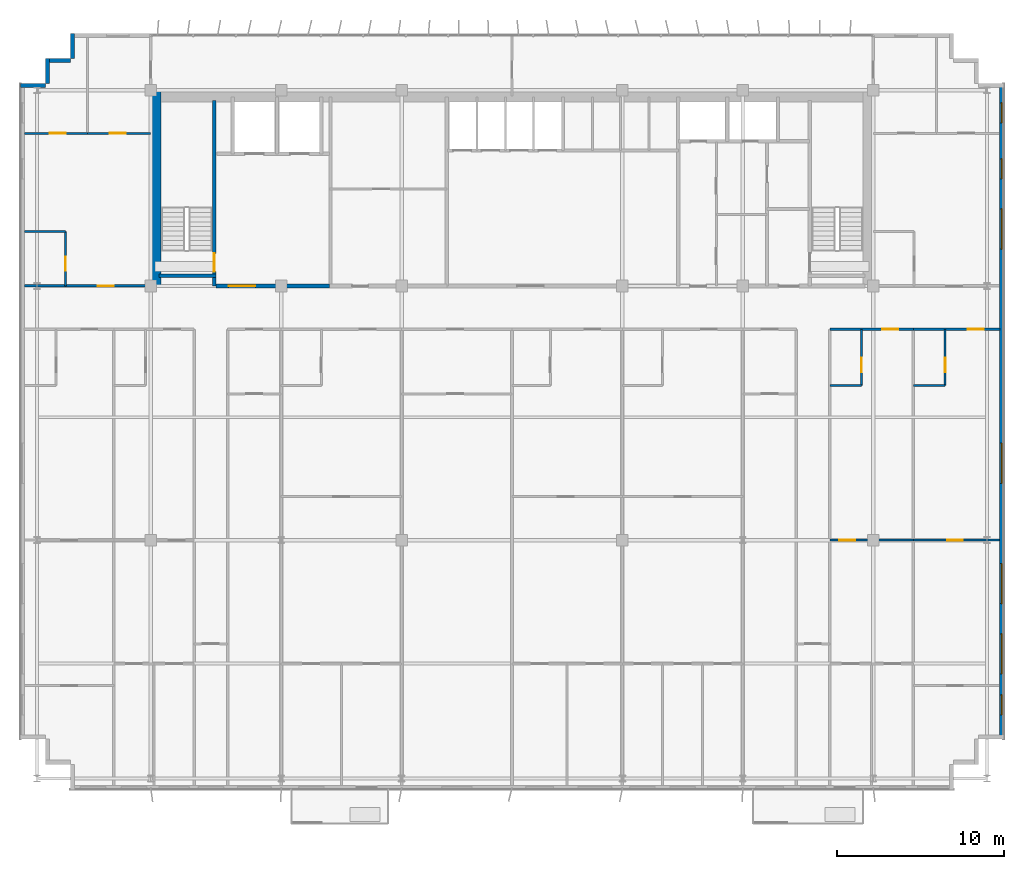
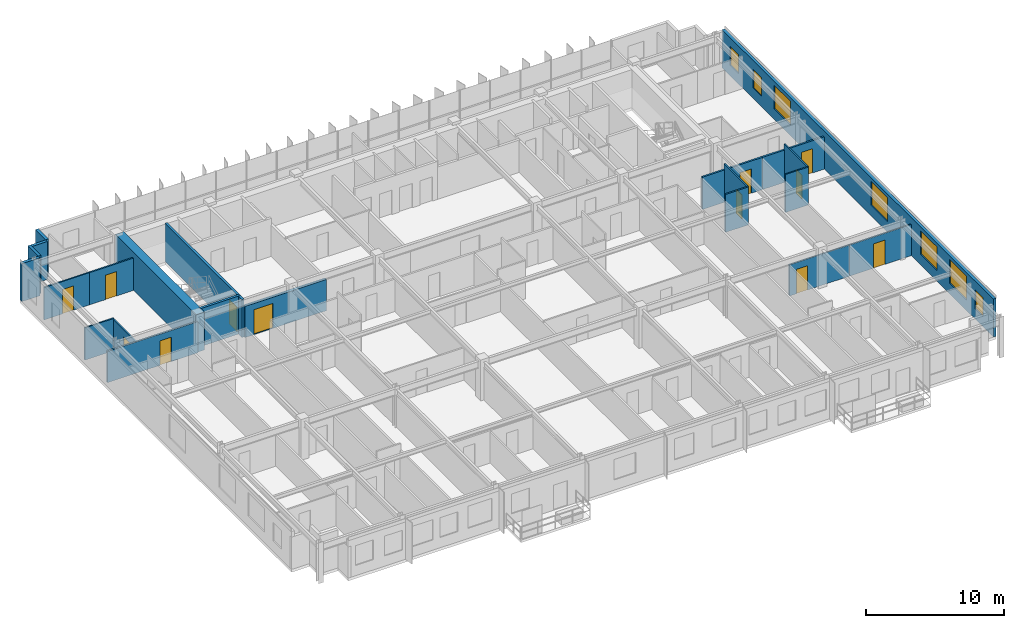
# One storey, part 17 of 21: 22 walls, 12 doors, 7 windows, 19 openings.
"""IFC4 building model written with IfcOpenShell, lengths in metres."""

import ifcopenshell
import ifcopenshell.guid

model = None  # the IFC model being written
_history = None  # IfcOwnerHistory: only IFC2X3 demands one
_inside = {}  # id of a spatial element -> (the spatial element, [elements in it])
_under = {}  # id of a project, library or spatial element -> (it, [spatial elements below it])
_declared = {}  # id of a project -> (the project, [libraries it declares])
_typed = {}  # id of a type object -> (the type object, [elements of that type])
_made_of = {}  # id of a material, layer set ... -> (it, [elements and type objects made of it])


def new_model(schema):
    """Start an empty IFC model of exactly this schema.

    Asked for "IFC4X3", IfcOpenShell would pick the latest addendum, in which some entities
    have other attributes; the version numbers below select the first issue.
    IFC2X3 requires an IfcOwnerHistory on every rooted entity: one is made here for all.
    """
    global model, _history
    if schema == "IFC4X3":
        model = ifcopenshell.file(schema_version=(4, 3, 0, 0))
    else:
        model = ifcopenshell.file(schema=schema)
    _inside.clear()
    _under.clear()
    _declared.clear()
    _typed.clear()
    _made_of.clear()
    _history = None
    if model.schema == "IFC2X3":
        org = make("IfcOrganization", Name="unknown")
        user = make(
            "IfcPersonAndOrganization",
            ThePerson=make("IfcPerson", FamilyName="unknown"),
            TheOrganization=org,
        )
        app = make(
            "IfcApplication",
            ApplicationDeveloper=org,
            Version="unknown",
            ApplicationFullName="unknown",
            ApplicationIdentifier="unknown",
        )
        _history = make(
            "IfcOwnerHistory",
            OwningUser=user,
            OwningApplication=app,
            ChangeAction="ADDED",
            CreationDate=0,
        )
    return model


def make(cls, **values):
    """One entity of the class cls with the attributes given. An attribute that is None is left unset."""
    return model.create_entity(
        cls, **{name: value for name, value in values.items() if value is not None}
    )


def rooted(cls, **values):
    """An entity with a GlobalId (a new one), such as an element, a storey or a relation."""
    return make(cls, GlobalId=ifcopenshell.guid.new(), OwnerHistory=_history, **values)


def si_unit(unit_type, name, prefix=None):
    """IfcSIUnit, for example si_unit("LENGTHUNIT", "METRE", prefix="MILLI")."""
    return make("IfcSIUnit", UnitType=unit_type, Prefix=prefix, Name=name)


def assignment(units):
    """IfcUnitAssignment: the units of a project."""
    return None if units is None else make("IfcUnitAssignment", Units=units)


def point(xyz):
    """IfcCartesianPoint."""
    return None if xyz is None else make("IfcCartesianPoint", Coordinates=xyz)


def direction(xyz):
    """IfcDirection."""
    return None if xyz is None else make("IfcDirection", DirectionRatios=xyz)


def frame(location, z_axis=None, x_axis=None):
    """IfcAxis2Placement3D, a coordinate frame: its origin and axes. An axis left out is left unset."""
    return make(
        "IfcAxis2Placement3D",
        Location=point(location),
        Axis=direction(z_axis),
        RefDirection=direction(x_axis),
    )


def frame_2d(location, x_axis=None):
    """IfcAxis2Placement2D, a coordinate frame in the plane: its origin and x axis."""
    return make(
        "IfcAxis2Placement2D", Location=point(location), RefDirection=direction(x_axis)
    )


def origin():
    """The frame at (0, 0, 0) with its axes left unset."""
    return frame((0.0, 0.0, 0.0))


def place(relative_to, where):
    """IfcLocalPlacement: puts the frame where relative to a parent placement (None: the world)."""
    return make(
        "IfcLocalPlacement", PlacementRelTo=relative_to, RelativePlacement=where
    )


def context(
    kind, dimensions, precision=None, world=None, true_north=None, identifier=None
):
    """IfcGeometricRepresentationContext, for example the 3D "Model" context."""
    return make(
        "IfcGeometricRepresentationContext",
        ContextIdentifier=identifier,
        ContextType=kind,
        CoordinateSpaceDimension=dimensions,
        Precision=precision,
        WorldCoordinateSystem=world,
        TrueNorth=true_north,
    )


def subcontext(parent, identifier, kind, view, scale=None):
    """IfcGeometricRepresentationSubContext, for example "Body" below "Model"."""
    return make(
        "IfcGeometricRepresentationSubContext",
        ContextIdentifier=identifier,
        ContextType=kind,
        ParentContext=parent,
        TargetScale=scale,
        TargetView=view,
    )


def project(units=None, contexts=None):
    """IfcProject with its units and contexts."""
    return rooted(
        "IfcProject",
        Name="project",
        RepresentationContexts=contexts,
        UnitsInContext=assignment(units),
    )


def spatial(cls, under=None, at=None, **own):
    """A site, building, storey or space (cls), placed at a placement, below another one or the project."""
    s = rooted(cls, ObjectPlacement=at, **own)
    if under is not None:
        _under.setdefault(under.id(), (under, []))[1].append(s)
    return s


def profile(cls, at=None, kind="AREA", **sizes):
    """A parametric profile (cls). Its sizes go by their IFC names, for example OverallWidth=200.0."""
    return make(cls, ProfileType=kind, Position=at, **sizes)


def rectangle(**sizes):
    """IfcRectangleProfileDef."""
    return profile("IfcRectangleProfileDef", **sizes)


def extrude(swept, where, along, depth):
    """IfcExtrudedAreaSolid: the profile swept, set in the frame where, extruded along a direction by depth."""
    return make(
        "IfcExtrudedAreaSolid",
        SweptArea=swept,
        Position=where,
        ExtrudedDirection=direction(along),
        Depth=depth,
    )


def shape(context_of_items, identifier, shape_type, items):
    """IfcShapeRepresentation: the items that make up one representation, for example the "Body"."""
    return make(
        "IfcShapeRepresentation",
        ContextOfItems=context_of_items,
        RepresentationIdentifier=identifier,
        RepresentationType=shape_type,
        Items=items,
    )


def source(mapping_origin, context_of_items, identifier, shape_type, items):
    """IfcRepresentationMap: a shape defined once, which mapped items show again and again."""
    return make(
        "IfcRepresentationMap",
        MappingOrigin=mapping_origin,
        MappedRepresentation=shape(context_of_items, identifier, shape_type, items),
    )


def transform(
    local_origin,
    x_axis=None,
    y_axis=None,
    z_axis=None,
    scale=None,
    scale2=None,
    scale3=None,
    uniform=True,
):
    """IfcCartesianTransformationOperator3D, or its non-uniform kind. x_axis, y_axis, z_axis: its Axis1, 2, 3."""
    if uniform:
        return make(
            "IfcCartesianTransformationOperator3D",
            Axis1=direction(x_axis),
            Axis2=direction(y_axis),
            LocalOrigin=point(local_origin),
            Scale=scale,
            Axis3=direction(z_axis),
        )
    return make(
        "IfcCartesianTransformationOperator3DnonUniform",
        Axis1=direction(x_axis),
        Axis2=direction(y_axis),
        LocalOrigin=point(local_origin),
        Scale=scale,
        Axis3=direction(z_axis),
        Scale2=scale2,
        Scale3=scale3,
    )


def mapped(mapping_source, mapping_target):
    """IfcMappedItem: shows the shape of a source again, moved by a transform."""
    return make(
        "IfcMappedItem", MappingSource=mapping_source, MappingTarget=mapping_target
    )


def material(Name=None, Category=None):
    """IfcMaterial."""
    return make("IfcMaterial", Name=Name, Category=Category)


def layer(
    of_material, thickness, ventilated=None, Name=None, Category=None, Priority=None
):
    """IfcMaterialLayer: one layer of a wall or slab, of a material (None: an air gap)."""
    return make(
        "IfcMaterialLayer",
        Material=of_material,
        LayerThickness=thickness,
        IsVentilated=ventilated,
        Name=Name,
        Category=Category,
        Priority=Priority,
    )


def layer_set(layers, Name=None):
    """IfcMaterialLayerSet."""
    return make("IfcMaterialLayerSet", MaterialLayers=layers, LayerSetName=Name)


def made_of(thing, what):
    """Note that an element or type object is made of a material, layer set ...; save() writes the relation."""
    if what is not None:
        _made_of.setdefault(what.id(), (what, []))[1].append(thing)
    return thing


def type_object(cls, material=None, **own):
    """A type object (cls), such as IfcWallType, which elements share."""
    return made_of(rooted(cls, **own), material)


def element(
    cls,
    number,
    at=None,
    inside=None,
    cuts=None,
    type_object=None,
    material=None,
    context=None,
    identifier="Body",
    shape_type=None,
    held_by="IfcProductDefinitionShape",
    body=None,
    shapes=None,
    **own,
):
    """One element of the class cls, such as IfcWall. Its Tag is "e" and its number.

    at: its placement. inside: the storey or other place that contains it. cuts: it is an
    opening in that element (IfcRelVoidsElement). A single representation is given by context,
    identifier, shape_type and body (its items); several are given by shapes. held_by: the class
    of the entity that holds the representations. save() writes the other relations.
    """
    e = rooted(cls, Tag="e%d" % number, ObjectPlacement=at, **own)
    if body is not None:
        shapes = [shape(context, identifier, shape_type, body)]
    if shapes is not None:
        e.Representation = make(held_by, Representations=shapes)
    if inside is not None:
        _inside.setdefault(inside.id(), (inside, []))[1].append(e)
    if cuts is not None:
        rooted(
            "IfcRelVoidsElement", RelatingBuildingElement=cuts, RelatedOpeningElement=e
        )
    if type_object is not None:
        _typed.setdefault(type_object.id(), (type_object, []))[1].append(e)
    return made_of(e, material)


def fill(opening, filler):
    """IfcRelFillsElement: the door or window that sits in an opening."""
    return rooted(
        "IfcRelFillsElement",
        RelatingOpeningElement=opening,
        RelatedBuildingElement=filler,
    )


def aggregate(whole, parts):
    """IfcRelAggregates: a whole, such as a stair, and the parts it consists of."""
    return rooted("IfcRelAggregates", RelatingObject=whole, RelatedObjects=parts)


def save(model, path):
    """Write the relations noted so far, then the file.

    IfcRelAggregates (storeys below a building ...), IfcRelContainedInSpatialStructure (elements
    in a storey), IfcRelDefinesByType, IfcRelAssociatesMaterial and IfcRelDeclares: one each for
    every whole, place, type object, material and project.
    """
    for whole, parts in _under.values():
        aggregate(whole, parts)
    for where, things in _inside.values():
        rooted(
            "IfcRelContainedInSpatialStructure",
            RelatedElements=things,
            RelatingStructure=where,
        )
    for kind, things in _typed.values():
        rooted("IfcRelDefinesByType", RelatedObjects=things, RelatingType=kind)
    for what, things in _made_of.values():
        rooted("IfcRelAssociatesMaterial", RelatedObjects=things, RelatingMaterial=what)
    for by, libraries in _declared.values():
        rooted("IfcRelDeclares", RelatingContext=by, RelatedDefinitions=libraries)
    model.write(path)


model = new_model("IFC4")

# Units and contexts
model_context = context("Model", 3, precision=1e-05, world=origin(), true_north=direction((0.0, 1.0)))
body_context = subcontext(model_context, "Body", "Model", "MODEL_VIEW")
ifc_project = project(units=[si_unit("LENGTHUNIT", "METRE"), si_unit("AREAUNIT", "SQUARE_METRE"), si_unit("VOLUMEUNIT", "CUBIC_METRE"), si_unit("PLANEANGLEUNIT", "RADIAN"), si_unit("MASSUNIT", "GRAM", prefix="KILO")], contexts=[model_context])

# Site, building, storey
site_placement = place(None, origin())
site = spatial("IfcSite", under=ifc_project, at=site_placement, CompositionType="ELEMENT")
building_placement = place(site_placement, origin())
building = spatial("IfcBuilding", under=site, at=building_placement, Name="Trelvane Seafront Commons", CompositionType="ELEMENT")
storey_placement = place(building_placement, frame((0.0, 0.0, 135.699951171875)))
storey = spatial("IfcBuildingStorey", under=building, at=storey_placement, Name="L35", CompositionType="ELEMENT", Elevation=135.699951171875)

# Walls
ifc_material_1 = material(Name="Precast concrete C40/50", Category="concrete")
ifc_layer_1 = layer(ifc_material_1, 0.239990234375, Name="ARCH-WALL-EXT240")
ifc_layer_set_1 = layer_set([ifc_layer_1], Name="Precast concrete C40/50")
wall_type_1 = type_object("IfcWallType", Name="ARCH-WALL-EXT240", PredefinedType="SOLIDWALL", material=ifc_layer_set_1)
for number, where, z_axis, x_axis, name in (
    (1, (7.800048828125, 45.3798828125, 0.0), (0.0, 0.0, 1.0), (1.0, 0.0, 0.0), "EW-L35-00680"),
    (2, (9.419921875, 45.5, 0.0), (0.0, 0.0, 1.0), (0.0, 1.0, 0.0), "EW-L35-00681"),
    (3, (9.300048828125, 46.8798828125, 0.0), (0.0, 0.0, 1.0), (1.0, 0.0, 0.0), "EW-L35-00682"),
    (4, (10.919921875, 47.0, 0.0), (0.0, 0.0, 1.0), (0.0, 1.0, 0.0), "EW-L35-00683"),
):
    element("IfcWall", number, at=place(storey_placement, frame(where, z_axis=z_axis, x_axis=x_axis)), inside=storey, type_object=wall_type_1, Name=name, PredefinedType="SOLIDWALL", context=body_context, shape_type="SweptSolid", body=[
        extrude(rectangle(XDim=1.5, YDim=0.239990234375, at=frame_2d((0.75, 0.0))), origin(), (0.0, 0.0, 1.0), 3.35009765625),
    ])

# Wall, openings, windows
wall_1_placement = place(storey_placement, frame((66.47998046875, 45.5, 0.0), z_axis=(0.0, 0.0, 1.0), x_axis=(0.0, -1.0, 0.0)))
wall_1 = element("IfcWall", 5, at=wall_1_placement, inside=storey, type_object=wall_type_1, Name="EW-L35-00688", PredefinedType="SOLIDWALL", context=body_context, shape_type="SweptSolid", body=[
    extrude(rectangle(XDim=39.199951171875, YDim=0.239990234375, at=frame_2d((19.60009765625, 0.0))), origin(), (0.0, 0.0, 1.0), 3.35009765625),
])
opening_1_placement = place(wall_1_placement, frame((36.550048828125, 0.0, 0.919921875)))
opening_1 = element("IfcOpeningElement", 6, at=opening_1_placement, cuts=wall_1, Name="Opening W05", PredefinedType="OPENING", context=body_context, shape_type="SweptSolid", body=[
    extrude(rectangle(XDim=1.199951171875, YDim=1.64990234375, at=frame_2d((0.60009765625, 0.824951171875))), frame((0.0, 0.1298828125, 0.0), z_axis=(0.0, -1.0, 0.0), x_axis=(1.0, 0.0, 0.0)), (0.0, 0.0, 1.0), 0.260009765625),
])
opening_2_placement = place(wall_1_placement, frame((32.89990234375, 0.0, 0.919921875)))
opening_2 = element("IfcOpeningElement", 7, at=opening_2_placement, cuts=wall_1, Name="Opening W08", PredefinedType="OPENING", context=body_context, shape_type="SweptSolid", body=[
    extrude(rectangle(XDim=2.39990234375, YDim=2.10009765625, at=frame_2d((1.199951171875, 1.050048828125))), frame((0.0, 0.1298828125, 0.0), z_axis=(0.0, -1.0, 0.0), x_axis=(1.0, 0.0, 0.0)), (0.0, 0.0, 1.0), 0.260009765625),
])
opening_3_placement = place(wall_1_placement, frame((28.699951171875, 0.0, 0.919921875)))
opening_3 = element("IfcOpeningElement", 8, at=opening_3_placement, cuts=wall_1, Name="Opening W08", PredefinedType="OPENING", context=body_context, shape_type="SweptSolid", body=[
    extrude(rectangle(XDim=2.39990234375, YDim=2.10009765625, at=frame_2d((1.199951171875, 1.050048828125))), frame((0.0, 0.1298828125, 0.0), z_axis=(0.0, -1.0, 0.0), x_axis=(1.0, 0.0, 0.0)), (0.0, 0.0, 1.0), 0.260009765625),
])
opening_4_placement = place(wall_1_placement, frame((21.5, 0.0, 0.919921875)))
opening_4 = element("IfcOpeningElement", 9, at=opening_4_placement, cuts=wall_1, Name="Opening W08", PredefinedType="OPENING", context=body_context, shape_type="SweptSolid", body=[
    extrude(rectangle(XDim=2.39990234375, YDim=2.10009765625, at=frame_2d((1.199951171875, 1.050048828125))), frame((0.0, 0.1298828125, 0.0), z_axis=(0.0, -1.0, 0.0), x_axis=(1.0, 0.0, 0.0)), (0.0, 0.0, 1.0), 0.260009765625),
])
opening_5_placement = place(wall_1_placement, frame((7.5, 0.0, 0.919921875)))
opening_5 = element("IfcOpeningElement", 10, at=opening_5_placement, cuts=wall_1, Name="Opening W08", PredefinedType="OPENING", context=body_context, shape_type="SweptSolid", body=[
    extrude(rectangle(XDim=2.39990234375, YDim=2.10009765625, at=frame_2d((1.199951171875, 1.050048828125))), frame((0.0, 0.1298828125, 0.0), z_axis=(0.0, -1.0, 0.0), x_axis=(1.0, 0.0, 0.0)), (0.0, 0.0, 1.0), 0.260009765625),
])
opening_6_placement = place(wall_1_placement, frame((4.5, 0.0, 0.919921875)))
opening_6 = element("IfcOpeningElement", 11, at=opening_6_placement, cuts=wall_1, Name="Opening W05", PredefinedType="OPENING", context=body_context, shape_type="SweptSolid", body=[
    extrude(rectangle(XDim=1.199951171875, YDim=1.64990234375, at=frame_2d((0.60009765625, 0.824951171875))), frame((0.0, 0.1298828125, 0.0), z_axis=(0.0, -1.0, 0.0), x_axis=(1.0, 0.0, 0.0)), (0.0, 0.0, 1.0), 0.260009765625),
])
opening_7_placement = place(wall_1_placement, frame((1.14990234375, 0.0, 0.919921875)))
opening_7 = element("IfcOpeningElement", 12, at=opening_7_placement, cuts=wall_1, Name="Opening W05", PredefinedType="OPENING", context=body_context, shape_type="SweptSolid", body=[
    extrude(rectangle(XDim=1.199951171875, YDim=1.64990234375, at=frame_2d((0.60009765625, 0.824951171875))), frame((0.0, 0.1298828125, 0.0), z_axis=(0.0, -1.0, 0.0), x_axis=(1.0, 0.0, 0.0)), (0.0, 0.0, 1.0), 0.260009765625),
])
ifc_material_2 = material(Name="Low-E coastal double glazing", Category="glass")
window_type_1 = type_object("IfcWindowType", Name="ARCH-WIN-W08", PartitioningType="SINGLE_PANEL", PredefinedType="WINDOW", material=ifc_material_2)
shared_shape_1 = source(origin(), body_context, "Body", "SweptSolid", [
    extrude(rectangle(XDim=2.39990234375, YDim=2.10009765625, at=frame_2d((1.199951171875, 1.050048828125))), frame((0.0, 0.030029296875, 0.0), z_axis=(0.0, -1.0, 0.0), x_axis=(1.0, 0.0, 0.0)), (0.0, 0.0, 1.0), 0.06005859375),
])
window_1_placement = place(opening_2_placement, origin())
window_1 = element("IfcWindow", 13, at=window_1_placement, inside=storey, type_object=window_type_1, Name="WIN-L35-EW-00797", OverallHeight=2.10009765625, OverallWidth=2.39990234375, PartitioningType="SINGLE_PANEL", PredefinedType="WINDOW", context=body_context, shape_type="MappedRepresentation", body=[
    mapped(shared_shape_1, transform((0.0, 0.0, 0.0), x_axis=(1.0, 0.0, 0.0), y_axis=(0.0, 1.0, 0.0), z_axis=(0.0, 0.0, 1.0), scale=1.0)),
])
fill(opening_2, window_1)
window_2_placement = place(opening_3_placement, origin())
window_2 = element("IfcWindow", 14, at=window_2_placement, inside=storey, type_object=window_type_1, Name="WIN-L35-EW-00798", OverallHeight=2.10009765625, OverallWidth=2.39990234375, PartitioningType="SINGLE_PANEL", PredefinedType="WINDOW", context=body_context, shape_type="MappedRepresentation", body=[
    mapped(shared_shape_1, transform((0.0, 0.0, 0.0), x_axis=(1.0, 0.0, 0.0), y_axis=(0.0, 1.0, 0.0), z_axis=(0.0, 0.0, 1.0), scale=1.0)),
])
fill(opening_3, window_2)
window_3_placement = place(opening_4_placement, origin())
window_3 = element("IfcWindow", 15, at=window_3_placement, inside=storey, type_object=window_type_1, Name="WIN-L35-EW-00799", OverallHeight=2.10009765625, OverallWidth=2.39990234375, PartitioningType="SINGLE_PANEL", PredefinedType="WINDOW", context=body_context, shape_type="MappedRepresentation", body=[
    mapped(shared_shape_1, transform((0.0, 0.0, 0.0), x_axis=(1.0, 0.0, 0.0), y_axis=(0.0, 1.0, 0.0), z_axis=(0.0, 0.0, 1.0), scale=1.0)),
])
fill(opening_4, window_3)
window_4_placement = place(opening_5_placement, origin())
window_4 = element("IfcWindow", 16, at=window_4_placement, inside=storey, type_object=window_type_1, Name="WIN-L35-EW-00800", OverallHeight=2.10009765625, OverallWidth=2.39990234375, PartitioningType="SINGLE_PANEL", PredefinedType="WINDOW", context=body_context, shape_type="MappedRepresentation", body=[
    mapped(shared_shape_1, transform((0.0, 0.0, 0.0), x_axis=(1.0, 0.0, 0.0), y_axis=(0.0, 1.0, 0.0), z_axis=(0.0, 0.0, 1.0), scale=1.0)),
])
fill(opening_5, window_4)
window_type_2 = type_object("IfcWindowType", Name="ARCH-WIN-W05", PartitioningType="SINGLE_PANEL", PredefinedType="WINDOW", material=ifc_material_2)
shared_shape_2 = source(origin(), body_context, "Body", "SweptSolid", [
    extrude(rectangle(XDim=1.199951171875, YDim=1.64990234375, at=frame_2d((0.60009765625, 0.824951171875))), frame((0.0, 0.030029296875, 0.0), z_axis=(0.0, -1.0, 0.0), x_axis=(1.0, 0.0, 0.0)), (0.0, 0.0, 1.0), 0.06005859375),
])
window_5_placement = place(opening_1_placement, origin())
window_5 = element("IfcWindow", 17, at=window_5_placement, inside=storey, type_object=window_type_2, Name="WIN-L35-EW-00796", OverallHeight=1.64990234375, OverallWidth=1.199951171875, PartitioningType="SINGLE_PANEL", PredefinedType="WINDOW", context=body_context, shape_type="MappedRepresentation", body=[
    mapped(shared_shape_2, transform((0.0, 0.0, 0.0), x_axis=(1.0, 0.0, 0.0), y_axis=(0.0, 1.0, 0.0), z_axis=(0.0, 0.0, 1.0), scale=1.0)),
])
fill(opening_1, window_5)
window_6_placement = place(opening_6_placement, origin())
window_6 = element("IfcWindow", 18, at=window_6_placement, inside=storey, type_object=window_type_2, Name="WIN-L35-EW-00801", OverallHeight=1.64990234375, OverallWidth=1.199951171875, PartitioningType="SINGLE_PANEL", PredefinedType="WINDOW", context=body_context, shape_type="MappedRepresentation", body=[
    mapped(shared_shape_2, transform((0.0, 0.0, 0.0), x_axis=(1.0, 0.0, 0.0), y_axis=(0.0, 1.0, 0.0), z_axis=(0.0, 0.0, 1.0), scale=1.0)),
])
fill(opening_6, window_6)
window_7_placement = place(opening_7_placement, origin())
window_7 = element("IfcWindow", 19, at=window_7_placement, inside=storey, type_object=window_type_2, Name="WIN-L35-EW-00802", OverallHeight=1.64990234375, OverallWidth=1.199951171875, PartitioningType="SINGLE_PANEL", PredefinedType="WINDOW", context=body_context, shape_type="MappedRepresentation", body=[
    mapped(shared_shape_2, transform((0.0, 0.0, 0.0), x_axis=(1.0, 0.0, 0.0), y_axis=(0.0, 1.0, 0.0), z_axis=(0.0, 0.0, 1.0), scale=1.0)),
])
fill(opening_7, window_7)

# Wall, opening, door
ifc_material_3 = material(Name="Concrete C40/50", Category="concrete")
ifc_layer_2 = layer(ifc_material_3, 0.25, Name="ARCH-WALL-FIRE250")
ifc_layer_set_2 = layer_set([ifc_layer_2], Name="Concrete C40/50")
wall_type_2 = type_object("IfcWallType", Name="ARCH-WALL-FIRE250", PredefinedType="PARTITIONING", material=ifc_layer_set_2)
wall_2_placement = place(storey_placement, frame((19.5, 33.39990234375, 0.0), z_axis=(0.0, 0.0, 1.0), x_axis=(1.0, 0.0, 0.0)))
wall_2 = element("IfcWall", 20, at=wall_2_placement, inside=storey, type_object=wall_type_2, Name="W-L35-CS-FFL-013", PredefinedType="PARTITIONING", context=body_context, shape_type="SweptSolid", body=[
    extrude(rectangle(XDim=6.800048828125, YDim=0.25, at=frame_2d((3.39990234375, 0.0))), origin(), (0.0, 0.0, 1.0), 2.75),
])
opening_8_placement = place(wall_2_placement, frame((0.75, 0.0, 0.0)))
opening_8 = element("IfcOpeningElement", 21, at=opening_8_placement, cuts=wall_2, Name="Opening FD-L35-05", PredefinedType="OPENING", context=body_context, shape_type="SweptSolid", body=[
    extrude(rectangle(XDim=1.60009765625, YDim=2.199951171875, at=frame_2d((0.800048828125, 1.10009765625))), frame((0.0, 0.135009765625, 0.0), z_axis=(0.0, -1.0, 0.0), x_axis=(1.0, 0.0, 0.0)), (0.0, 0.0, 1.0), 0.27001953125),
])
ifc_material_4 = material(Name="Powder-coated aluminium frame", Category="aluminium")
door_type_1 = type_object("IfcDoorType", Name="ARCH-DR-FD60-1600", OperationType="DOUBLE_DOOR_SINGLE_SWING", PredefinedType="DOOR", material=ifc_material_4)
shared_shape_3 = source(origin(), body_context, "Body", "SweptSolid", [
    extrude(rectangle(XDim=1.60009765625, YDim=2.199951171875, at=frame_2d((0.800048828125, 1.10009765625))), frame((0.0, 0.02490234375, 0.0), z_axis=(0.0, -1.0, 0.0), x_axis=(1.0, 0.0, 0.0)), (0.0, 0.0, 1.0), 0.050048828125),
])
door_1_placement = place(opening_8_placement, origin())
door_1 = element("IfcDoor", 22, at=door_1_placement, inside=storey, type_object=door_type_1, Name="L35 Firefighting Lift Lobby Double Fire Door", OperationType="DOUBLE_DOOR_SINGLE_SWING", OverallHeight=2.199951171875, OverallWidth=1.60009765625, PredefinedType="DOOR", context=body_context, shape_type="MappedRepresentation", body=[
    mapped(shared_shape_3, transform((0.0, 0.0, 0.0), x_axis=(1.0, 0.0, 0.0), y_axis=(0.0, 1.0, 0.0), z_axis=(0.0, 0.0, 1.0), scale=1.0)),
])
fill(opening_8, door_1)

ifc_material_5 = material(Name="Gypsum Drywall Acoustic Partition")
ifc_layer_3 = layer(ifc_material_5, 0.1201171875, Name="ARCH-WALL-PART120")
ifc_layer_set_3 = layer_set([ifc_layer_3], Name="Gypsum Drywall Acoustic Partition")
wall_type_3 = type_object("IfcWallType", Name="ARCH-WALL-PART120", PredefinedType="PARTITIONING", material=ifc_layer_set_3)
wall_3_placement = place(storey_placement, frame((10.5, 33.39990234375, 0.0), z_axis=(0.0, 0.0, 1.0), x_axis=(0.0, 1.0, 0.0)))
wall_3 = element("IfcWall", 23, at=wall_3_placement, inside=storey, type_object=wall_type_3, Name="W-L35-NW-BE-036", PredefinedType="PARTITIONING", context=body_context, shape_type="SweptSolid", body=[
    extrude(rectangle(XDim=3.25, YDim=0.1201171875, at=frame_2d((1.625, 0.0))), origin(), (0.0, 0.0, 1.0), 2.75),
])
opening_9_placement = place(wall_3_placement, frame((0.89990234375, 0.0, 0.0)))
opening_9 = element("IfcOpeningElement", 24, at=opening_9_placement, cuts=wall_3, Name="Opening D-L35-20", PredefinedType="OPENING", context=body_context, shape_type="SweptSolid", body=[
    extrude(rectangle(XDim=0.85009765625, YDim=2.10009765625, at=frame_2d((0.425048828125, 1.050048828125))), frame((0.0, 0.070068359375, 0.0), z_axis=(0.0, -1.0, 0.0), x_axis=(1.0, 0.0, 0.0)), (0.0, 0.0, 1.0), 0.14013671875),
])
ifc_material_6 = material(Name="Acoustic timber door leaf", Category="wood")
door_type_2 = type_object("IfcDoorType", Name="ARCH-DR-INT850", OperationType="NOTDEFINED", PredefinedType="DOOR", material=ifc_material_6)
shared_shape_4 = source(origin(), body_context, "Body", "SweptSolid", [
    extrude(rectangle(XDim=0.85009765625, YDim=2.10009765625, at=frame_2d((0.425048828125, 1.050048828125))), frame((0.0, 0.02490234375, 0.0), z_axis=(0.0, -1.0, 0.0), x_axis=(1.0, 0.0, 0.0)), (0.0, 0.0, 1.0), 0.050048828125),
])
door_2_placement = place(opening_9_placement, origin())
door_2 = element("IfcDoor", 25, at=door_2_placement, inside=storey, type_object=door_type_2, Name="L35 Door 20", OperationType="SINGLE_SWING_RIGHT", OverallHeight=2.10009765625, OverallWidth=0.85009765625, PredefinedType="DOOR", context=body_context, shape_type="MappedRepresentation", body=[
    mapped(shared_shape_4, transform((0.0, 0.0, 0.0), x_axis=(1.0, 0.0, 0.0), y_axis=(0.0, 1.0, 0.0), z_axis=(0.0, 0.0, 1.0), scale=1.0)),
])
fill(opening_9, door_2)

# Wall
wall_4_placement = place(storey_placement, frame((8.050048828125, 36.64990234375, 0.0), z_axis=(0.0, 0.0, 1.0), x_axis=(1.0, 0.0, 0.0)))
element("IfcWall", 26, at=wall_4_placement, inside=storey, type_object=wall_type_3, Name="W-L35-NW-BN-037", PredefinedType="PARTITIONING", context=body_context, shape_type="SweptSolid", body=[
    extrude(rectangle(XDim=2.449951171875, YDim=0.1201171875, at=frame_2d((1.22509765625, 0.0))), origin(), (0.0, 0.0, 1.0), 2.85009765625),
])

# Wall, opening, door
wall_5_placement = place(storey_placement, frame((8.050048828125, 42.52001953125, 0.0), z_axis=(0.0, 0.0, 1.0), x_axis=(1.0, 0.0, 0.0)))
wall_5 = element("IfcWall", 27, at=wall_5_placement, inside=storey, type_object=wall_type_3, Name="W-L35-NW-KB1-038", PredefinedType="PARTITIONING", context=body_context, shape_type="SweptSolid", body=[
    extrude(rectangle(XDim=3.77490234375, YDim=0.1201171875, at=frame_2d((1.887451171875, 0.0))), origin(), (0.0, 0.0, 1.0), 2.85009765625),
])
opening_10_placement = place(wall_5_placement, frame((1.506103515625, 0.0, 0.0)))
opening_10 = element("IfcOpeningElement", 28, at=opening_10_placement, cuts=wall_5, Name="Opening D-L35-21", PredefinedType="OPENING", context=body_context, shape_type="SweptSolid", body=[
    extrude(rectangle(XDim=0.949951171875, YDim=2.14990234375, at=frame_2d((0.47509765625, 1.074951171875))), frame((0.0, 0.070068359375, 0.0), z_axis=(0.0, -1.0, 0.0), x_axis=(1.0, 0.0, 0.0)), (0.0, 0.0, 1.0), 0.14013671875),
])
door_type_3 = type_object("IfcDoorType", Name="ARCH-DR-INT950", OperationType="NOTDEFINED", PredefinedType="DOOR", material=ifc_material_6)
shared_shape_5 = source(origin(), body_context, "Body", "SweptSolid", [
    extrude(rectangle(XDim=0.949951171875, YDim=2.14990234375, at=frame_2d((0.47509765625, 1.074951171875))), frame((0.0, 0.02490234375, 0.0), z_axis=(0.0, -1.0, 0.0), x_axis=(1.0, 0.0, 0.0)), (0.0, 0.0, 1.0), 0.050048828125),
])
door_3_placement = place(opening_10_placement, origin())
door_3 = element("IfcDoor", 29, at=door_3_placement, inside=storey, type_object=door_type_3, Name="L35 Door 21", OperationType="SINGLE_SWING_LEFT", OverallHeight=2.14990234375, OverallWidth=0.949951171875, PredefinedType="DOOR", context=body_context, shape_type="MappedRepresentation", body=[
    mapped(shared_shape_5, transform((0.0, 0.0, 0.0), x_axis=(1.0, 0.0, 0.0), y_axis=(0.0, 1.0, 0.0), z_axis=(0.0, 0.0, 1.0), scale=1.0)),
])
fill(opening_10, door_3)

wall_6_placement = place(storey_placement, frame((11.824951171875, 42.52001953125, 0.0), z_axis=(0.0, 0.0, 1.0), x_axis=(1.0, 0.0, 0.0)))
wall_6 = element("IfcWall", 30, at=wall_6_placement, inside=storey, type_object=wall_type_3, Name="W-L35-NW-KB2-039", PredefinedType="PARTITIONING", context=body_context, shape_type="SweptSolid", body=[
    extrude(rectangle(XDim=3.775146484375, YDim=0.1201171875, at=frame_2d((1.8876953125, 0.0))), origin(), (0.0, 0.0, 1.0), 2.85009765625),
])
opening_11_placement = place(wall_6_placement, frame((1.319091796875, 0.0, 0.0)))
opening_11 = element("IfcOpeningElement", 31, at=opening_11_placement, cuts=wall_6, Name="Opening D-L35-22", PredefinedType="OPENING", context=body_context, shape_type="SweptSolid", body=[
    extrude(rectangle(XDim=0.949951171875, YDim=2.14990234375, at=frame_2d((0.47509765625, 1.074951171875))), frame((0.0, 0.070068359375, 0.0), z_axis=(0.0, -1.0, 0.0), x_axis=(1.0, 0.0, 0.0)), (0.0, 0.0, 1.0), 0.14013671875),
])
door_4_placement = place(opening_11_placement, origin())
door_4 = element("IfcDoor", 32, at=door_4_placement, inside=storey, type_object=door_type_3, Name="L35 Door 22", OperationType="SINGLE_SWING_RIGHT", OverallHeight=2.14990234375, OverallWidth=0.949951171875, PredefinedType="DOOR", context=body_context, shape_type="MappedRepresentation", body=[
    mapped(shared_shape_5, transform((0.0, 0.0, 0.0), x_axis=(1.0, 0.0, 0.0), y_axis=(0.0, 1.0, 0.0), z_axis=(0.0, 0.0, 1.0), scale=1.0)),
])
fill(opening_11, door_4)

wall_7_placement = place(storey_placement, frame((56.199951171875, 18.199951171875, 0.0), z_axis=(0.0, 0.0, 1.0), x_axis=(1.0, 0.0, 0.0)))
wall_7 = element("IfcWall", 33, at=wall_7_placement, inside=storey, type_object=wall_type_3, Name="W-L35-U11-KL-105", PredefinedType="PARTITIONING", context=body_context, shape_type="SweptSolid", body=[
    extrude(rectangle(XDim=5.0, YDim=0.1201171875, at=frame_2d((2.5, 0.0))), origin(), (0.0, 0.0, 1.0), 2.75),
])
opening_12_placement = place(wall_7_placement, frame((0.56298828125, 0.0, 0.0)))
opening_12 = element("IfcOpeningElement", 34, at=opening_12_placement, cuts=wall_7, Name="Opening D-L35-64", PredefinedType="OPENING", context=body_context, shape_type="SweptSolid", body=[
    extrude(rectangle(XDim=0.949951171875, YDim=2.14990234375, at=frame_2d((0.47509765625, 1.074951171875))), frame((0.0, 0.070068359375, 0.0), z_axis=(0.0, -1.0, 0.0), x_axis=(1.0, 0.0, 0.0)), (0.0, 0.0, 1.0), 0.14013671875),
])
door_5_placement = place(opening_12_placement, origin())
door_5 = element("IfcDoor", 35, at=door_5_placement, inside=storey, type_object=door_type_3, Name="L35 Door 64", OperationType="SINGLE_SWING_RIGHT", OverallHeight=2.14990234375, OverallWidth=0.949951171875, PredefinedType="DOOR", context=body_context, shape_type="MappedRepresentation", body=[
    mapped(shared_shape_5, transform((0.0, 0.0, 0.0), x_axis=(1.0, 0.0, 0.0), y_axis=(0.0, 1.0, 0.0), z_axis=(0.0, 0.0, 1.0), scale=1.0)),
])
fill(opening_12, door_5)

wall_8_placement = place(storey_placement, frame((58.10009765625, 27.449951171875, 0.0), z_axis=(0.0, 0.0, 1.0), x_axis=(0.0, 1.0, 0.0)))
wall_8 = element("IfcWall", 36, at=wall_8_placement, inside=storey, type_object=wall_type_3, Name="W-L35-U11-BE-106", PredefinedType="PARTITIONING", context=body_context, shape_type="SweptSolid", body=[
    extrude(rectangle(XDim=3.35009765625, YDim=0.1201171875, at=frame_2d((1.675048828125, 0.0))), origin(), (0.0, 0.0, 1.0), 3.35009765625),
])
opening_13_placement = place(wall_8_placement, frame((0.800048828125, 0.0, 0.0)))
opening_13 = element("IfcOpeningElement", 37, at=opening_13_placement, cuts=wall_8, Name="Opening D-L35-65", PredefinedType="OPENING", context=body_context, shape_type="SweptSolid", body=[
    extrude(rectangle(XDim=0.85009765625, YDim=2.10009765625, at=frame_2d((0.425048828125, 1.050048828125))), frame((0.0, 0.070068359375, 0.0), z_axis=(0.0, -1.0, 0.0), x_axis=(1.0, 0.0, 0.0)), (0.0, 0.0, 1.0), 0.14013671875),
])
door_6_placement = place(opening_13_placement, origin())
door_6 = element("IfcDoor", 38, at=door_6_placement, inside=storey, type_object=door_type_2, Name="L35 Door 65", OperationType="SINGLE_SWING_LEFT", OverallHeight=2.10009765625, OverallWidth=0.85009765625, PredefinedType="DOOR", context=body_context, shape_type="MappedRepresentation", body=[
    mapped(shared_shape_4, transform((0.0, 0.0, 0.0), x_axis=(1.0, 0.0, 0.0), y_axis=(0.0, 1.0, 0.0), z_axis=(0.0, 0.0, 1.0), scale=1.0)),
])
fill(opening_13, door_6)

# Wall
wall_9_placement = place(storey_placement, frame((56.199951171875, 27.449951171875, 0.0), z_axis=(0.0, 0.0, 1.0), x_axis=(1.0, 0.0, 0.0)))
element("IfcWall", 39, at=wall_9_placement, inside=storey, type_object=wall_type_3, Name="W-L35-U11-BS-107", PredefinedType="PARTITIONING", context=body_context, shape_type="SweptSolid", body=[
    extrude(rectangle(XDim=1.900146484375, YDim=0.1201171875, at=frame_2d((0.9501953125, 0.0))), origin(), (0.0, 0.0, 1.0), 3.35009765625),
])

# Wall, opening, door
wall_10_placement = place(storey_placement, frame((61.199951171875, 18.199951171875, 0.0), z_axis=(0.0, 0.0, 1.0), x_axis=(1.0, 0.0, 0.0)))
wall_10 = element("IfcWall", 40, at=wall_10_placement, inside=storey, type_object=wall_type_3, Name="W-L35-U12-KL-112", PredefinedType="PARTITIONING", context=body_context, shape_type="SweptSolid", body=[
    extrude(rectangle(XDim=5.16015625, YDim=0.1201171875, at=frame_2d((2.580078125, 0.0))), origin(), (0.0, 0.0, 1.0), 2.75),
])
opening_14_placement = place(wall_10_placement, frame((2.013916015625, 0.0, 0.0)))
opening_14 = element("IfcOpeningElement", 41, at=opening_14_placement, cuts=wall_10, Name="Opening D-L35-69", PredefinedType="OPENING", context=body_context, shape_type="SweptSolid", body=[
    extrude(rectangle(XDim=0.949951171875, YDim=2.14990234375, at=frame_2d((0.47509765625, 1.074951171875))), frame((0.0, 0.070068359375, 0.0), z_axis=(0.0, -1.0, 0.0), x_axis=(1.0, 0.0, 0.0)), (0.0, 0.0, 1.0), 0.14013671875),
])
door_7_placement = place(opening_14_placement, origin())
door_7 = element("IfcDoor", 42, at=door_7_placement, inside=storey, type_object=door_type_3, Name="L35 Door 69", OperationType="SINGLE_SWING_LEFT", OverallHeight=2.14990234375, OverallWidth=0.949951171875, PredefinedType="DOOR", context=body_context, shape_type="MappedRepresentation", body=[
    mapped(shared_shape_5, transform((0.0, 0.0, 0.0), x_axis=(1.0, 0.0, 0.0), y_axis=(0.0, 1.0, 0.0), z_axis=(0.0, 0.0, 1.0), scale=1.0)),
])
fill(opening_14, door_7)

wall_11_placement = place(storey_placement, frame((63.10009765625, 27.449951171875, 0.0), z_axis=(0.0, 0.0, 1.0), x_axis=(0.0, 1.0, 0.0)))
wall_11 = element("IfcWall", 43, at=wall_11_placement, inside=storey, type_object=wall_type_3, Name="W-L35-U12-BE-113", PredefinedType="PARTITIONING", context=body_context, shape_type="SweptSolid", body=[
    extrude(rectangle(XDim=3.35009765625, YDim=0.1201171875, at=frame_2d((1.675048828125, 0.0))), origin(), (0.0, 0.0, 1.0), 3.35009765625),
])
opening_15_placement = place(wall_11_placement, frame((0.800048828125, 0.0, 0.0)))
opening_15 = element("IfcOpeningElement", 44, at=opening_15_placement, cuts=wall_11, Name="Opening D-L35-70", PredefinedType="OPENING", context=body_context, shape_type="SweptSolid", body=[
    extrude(rectangle(XDim=0.85009765625, YDim=2.10009765625, at=frame_2d((0.425048828125, 1.050048828125))), frame((0.0, 0.070068359375, 0.0), z_axis=(0.0, -1.0, 0.0), x_axis=(1.0, 0.0, 0.0)), (0.0, 0.0, 1.0), 0.14013671875),
])
door_8_placement = place(opening_15_placement, origin())
door_8 = element("IfcDoor", 45, at=door_8_placement, inside=storey, type_object=door_type_2, Name="L35 Door 70", OperationType="SINGLE_SWING_RIGHT", OverallHeight=2.10009765625, OverallWidth=0.85009765625, PredefinedType="DOOR", context=body_context, shape_type="MappedRepresentation", body=[
    mapped(shared_shape_4, transform((0.0, 0.0, 0.0), x_axis=(1.0, 0.0, 0.0), y_axis=(0.0, 1.0, 0.0), z_axis=(0.0, 0.0, 1.0), scale=1.0)),
])
fill(opening_15, door_8)

# Wall
wall_12_placement = place(storey_placement, frame((61.199951171875, 27.449951171875, 0.0), z_axis=(0.0, 0.0, 1.0), x_axis=(1.0, 0.0, 0.0)))
element("IfcWall", 46, at=wall_12_placement, inside=storey, type_object=wall_type_3, Name="W-L35-U12-BS-114", PredefinedType="PARTITIONING", context=body_context, shape_type="SweptSolid", body=[
    extrude(rectangle(XDim=1.900146484375, YDim=0.1201171875, at=frame_2d((0.9501953125, 0.0))), origin(), (0.0, 0.0, 1.0), 3.35009765625),
])

# Wall, opening, door
ifc_layer_4 = layer(ifc_material_5, 0.14990234375, Name="ARCH-WALL-PART150")
ifc_layer_set_4 = layer_set([ifc_layer_4], Name="Gypsum Drywall Acoustic Partition")
wall_type_4 = type_object("IfcWallType", Name="ARCH-WALL-PART150", PredefinedType="PARTITIONING", material=ifc_layer_set_4)
wall_13_placement = place(storey_placement, frame((8.050048828125, 33.39990234375, 0.0), z_axis=(0.0, 0.0, 1.0), x_axis=(1.0, 0.0, 0.0)))
wall_13 = element("IfcWall", 47, at=wall_13_placement, inside=storey, type_object=wall_type_4, Name="W-L35-NW-ENT-041", PredefinedType="PARTITIONING", context=body_context, shape_type="SweptSolid", body=[
    extrude(rectangle(XDim=7.550048828125, YDim=0.14990234375, at=frame_2d((3.77490234375, 0.0))), origin(), (0.0, 0.0, 1.0), 2.75),
])
opening_16_placement = place(wall_13_placement, frame((4.375, 0.0, 0.0)))
opening_16 = element("IfcOpeningElement", 48, at=opening_16_placement, cuts=wall_13, Name="Opening FD-L35-23", PredefinedType="OPENING", context=body_context, shape_type="SweptSolid", body=[
    extrude(rectangle(XDim=0.949951171875, YDim=2.14990234375, at=frame_2d((0.47509765625, 1.074951171875))), frame((0.0, 0.0849609375, 0.0), z_axis=(0.0, -1.0, 0.0), x_axis=(1.0, 0.0, 0.0)), (0.0, 0.0, 1.0), 0.169921875),
])
door_type_4 = type_object("IfcDoorType", Name="ARCH-DR-FD60-950", OperationType="NOTDEFINED", PredefinedType="DOOR", material=ifc_material_4)
door_9_placement = place(opening_16_placement, origin())
door_9 = element("IfcDoor", 49, at=door_9_placement, inside=storey, type_object=door_type_4, Name="L35 NW Flat Entrance Door", OperationType="SINGLE_SWING_LEFT", OverallHeight=2.14990234375, OverallWidth=0.949951171875, PredefinedType="DOOR", context=body_context, shape_type="MappedRepresentation", body=[
    mapped(shared_shape_5, transform((0.0, 0.0, 0.0), x_axis=(1.0, 0.0, 0.0), y_axis=(0.0, 1.0, 0.0), z_axis=(0.0, 0.0, 1.0), scale=1.0)),
])
fill(opening_16, door_9)

wall_14_placement = place(storey_placement, frame((56.199951171875, 30.800048828125, 0.0), z_axis=(0.0, 0.0, 1.0), x_axis=(1.0, 0.0, 0.0)))
wall_14 = element("IfcWall", 50, at=wall_14_placement, inside=storey, type_object=wall_type_4, Name="W-L35-CS-BAY-11-108", PredefinedType="PARTITIONING", context=body_context, shape_type="SweptSolid", body=[
    extrude(rectangle(XDim=5.0, YDim=0.14990234375, at=frame_2d((2.5, 0.0))), origin(), (0.0, 0.0, 1.0), 2.85009765625),
])
opening_17_placement = place(wall_14_placement, frame((3.14404296875, 0.0, 0.0)))
opening_17 = element("IfcOpeningElement", 51, at=opening_17_placement, cuts=wall_14, Name="Opening FD-L35-66", PredefinedType="OPENING", context=body_context, shape_type="SweptSolid", body=[
    extrude(rectangle(XDim=0.949951171875, YDim=2.14990234375, at=frame_2d((0.47509765625, 1.074951171875))), frame((0.0, 0.0849609375, 0.0), z_axis=(0.0, -1.0, 0.0), x_axis=(1.0, 0.0, 0.0)), (0.0, 0.0, 1.0), 0.169921875),
])
door_10_placement = place(opening_17_placement, origin())
door_10 = element("IfcDoor", 52, at=door_10_placement, inside=storey, type_object=door_type_4, Name="L35 Unit 11 Entrance Door", OperationType="SINGLE_SWING_RIGHT", OverallHeight=2.14990234375, OverallWidth=0.949951171875, PredefinedType="DOOR", context=body_context, shape_type="MappedRepresentation", body=[
    mapped(shared_shape_5, transform((0.0, 0.0, 0.0), x_axis=(1.0, 0.0, 0.0), y_axis=(0.0, 1.0, 0.0), z_axis=(0.0, 0.0, 1.0), scale=1.0)),
])
fill(opening_17, door_10)

wall_15_placement = place(storey_placement, frame((61.199951171875, 30.800048828125, 0.0), z_axis=(0.0, 0.0, 1.0), x_axis=(1.0, 0.0, 0.0)))
wall_15 = element("IfcWall", 53, at=wall_15_placement, inside=storey, type_object=wall_type_4, Name="W-L35-CS-BAY-12-115", PredefinedType="PARTITIONING", context=body_context, shape_type="SweptSolid", body=[
    extrude(rectangle(XDim=5.175048828125, YDim=0.14990234375, at=frame_2d((2.58740234375, 0.0))), origin(), (0.0, 0.0, 1.0), 2.85009765625),
])
opening_18_placement = place(wall_15_placement, frame((3.243896484375, 0.0, 0.0)))
opening_18 = element("IfcOpeningElement", 54, at=opening_18_placement, cuts=wall_15, Name="Opening FD-L35-71", PredefinedType="OPENING", context=body_context, shape_type="SweptSolid", body=[
    extrude(rectangle(XDim=0.949951171875, YDim=2.14990234375, at=frame_2d((0.47509765625, 1.074951171875))), frame((0.0, 0.0849609375, 0.0), z_axis=(0.0, -1.0, 0.0), x_axis=(1.0, 0.0, 0.0)), (0.0, 0.0, 1.0), 0.169921875),
])
door_11_placement = place(opening_18_placement, origin())
door_11 = element("IfcDoor", 55, at=door_11_placement, inside=storey, type_object=door_type_4, Name="L35 Unit 12 Entrance Door", OperationType="SINGLE_SWING_LEFT", OverallHeight=2.14990234375, OverallWidth=0.949951171875, PredefinedType="DOOR", context=body_context, shape_type="MappedRepresentation", body=[
    mapped(shared_shape_5, transform((0.0, 0.0, 0.0), x_axis=(1.0, 0.0, 0.0), y_axis=(0.0, 1.0, 0.0), z_axis=(0.0, 0.0, 1.0), scale=1.0)),
])
fill(opening_18, door_11)

# Walls
ifc_material_7 = material(Name="Concrete C60/75", Category="concrete")
ifc_layer_5 = layer(ifc_material_7, 0.699951171875, Name="STR-WALL-CORE700")
ifc_layer_set_5 = layer_set([ifc_layer_5], Name="Concrete C60/75")
wall_type_5 = type_object("IfcWallType", Name="STR-WALL-CORE700", PredefinedType="SHEAR", material=ifc_layer_set_5)
wall_16_placement = place(storey_placement, frame((15.85009765625, 33.39990234375, 0.0), z_axis=(0.0, 0.0, 1.0), x_axis=(0.0, 1.0, 0.0)))
element("IfcWall", 56, at=wall_16_placement, inside=storey, type_object=wall_type_5, Name="W-L35-CW-END-002", PredefinedType="SHEAR", context=body_context, shape_type="SweptSolid", body=[
    extrude(rectangle(XDim=11.7001953125, YDim=0.699951171875, at=frame_2d((5.85009765625, 0.0))), origin(), (0.0, 0.0, 1.0), 3.35009765625),
])
ifc_material_8 = material(Name="Concrete C50/60", Category="concrete")
ifc_layer_6 = layer(ifc_material_8, 0.199951171875, Name="STR-WALL-STAIR200")
ifc_layer_set_6 = layer_set([ifc_layer_6], Name="Concrete C50/60")
wall_type_6 = type_object("IfcWallType", Name="STR-WALL-STAIR200", PredefinedType="SHEAR", material=ifc_layer_set_6)
wall_17_placement = place(storey_placement, frame((16.10009765625, 34.0, 0.0), z_axis=(0.0, 0.0, 1.0), x_axis=(1.0, 0.0, 0.0)))
element("IfcWall", 57, at=wall_17_placement, inside=storey, type_object=wall_type_6, Name="W-L35-ST1-S-004", PredefinedType="SHEAR", context=body_context, shape_type="SweptSolid", body=[
    extrude(rectangle(XDim=3.39990234375, YDim=0.199951171875, at=frame_2d((1.699951171875, 0.0))), origin(), (0.0, 0.0, 1.0), 3.35009765625),
])

# Wall, opening, door
wall_18_placement = place(storey_placement, frame((19.39990234375, 33.39990234375, 0.0), z_axis=(0.0, 0.0, 1.0), x_axis=(0.0, 1.0, 0.0)))
wall_18 = element("IfcWall", 58, at=wall_18_placement, inside=storey, type_object=wall_type_6, Name="W-L35-ST1-E-005", PredefinedType="SHEAR", context=body_context, shape_type="SweptSolid", body=[
    extrude(rectangle(XDim=11.10009765625, YDim=0.199951171875, at=frame_2d((5.550048828125, 0.0))), origin(), (0.0, 0.0, 1.0), 3.35009765625),
])
opening_19_placement = place(wall_18_placement, frame((0.85009765625, 0.0, 0.0)))
opening_19 = element("IfcOpeningElement", 59, at=opening_19_placement, cuts=wall_18, Name="Opening ST-D1-L35", PredefinedType="OPENING", context=body_context, shape_type="SweptSolid", body=[
    extrude(rectangle(XDim=1.10009765625, YDim=2.14990234375, at=frame_2d((0.550048828125, 1.074951171875))), frame((0.0, 0.10986328125, 0.0), z_axis=(0.0, -1.0, 0.0), x_axis=(1.0, 0.0, 0.0)), (0.0, 0.0, 1.0), 0.219970703125),
])
door_type_5 = type_object("IfcDoorType", Name="ARCH-DR-FD90-1100", OperationType="NOTDEFINED", PredefinedType="DOOR", material=ifc_material_4)
shared_shape_6 = source(origin(), body_context, "Body", "SweptSolid", [
    extrude(rectangle(XDim=1.10009765625, YDim=2.14990234375, at=frame_2d((0.550048828125, 1.074951171875))), frame((0.0, 0.02490234375, 0.0), z_axis=(0.0, -1.0, 0.0), x_axis=(1.0, 0.0, 0.0)), (0.0, 0.0, 1.0), 0.050048828125),
])
door_12_placement = place(opening_19_placement, origin())
door_12 = element("IfcDoor", 60, at=door_12_placement, inside=storey, type_object=door_type_5, Name="L35 Stair ST-1 Lobby Fire Door", OperationType="SINGLE_SWING_LEFT", OverallHeight=2.14990234375, OverallWidth=1.10009765625, PredefinedType="DOOR", context=body_context, shape_type="MappedRepresentation", body=[
    mapped(shared_shape_6, transform((0.0, 0.0, 0.0), x_axis=(1.0, 0.0, 0.0), y_axis=(0.0, 1.0, 0.0), z_axis=(0.0, 0.0, 1.0), scale=1.0)),
])
fill(opening_19, door_12)

save(model, "model.ifc")
